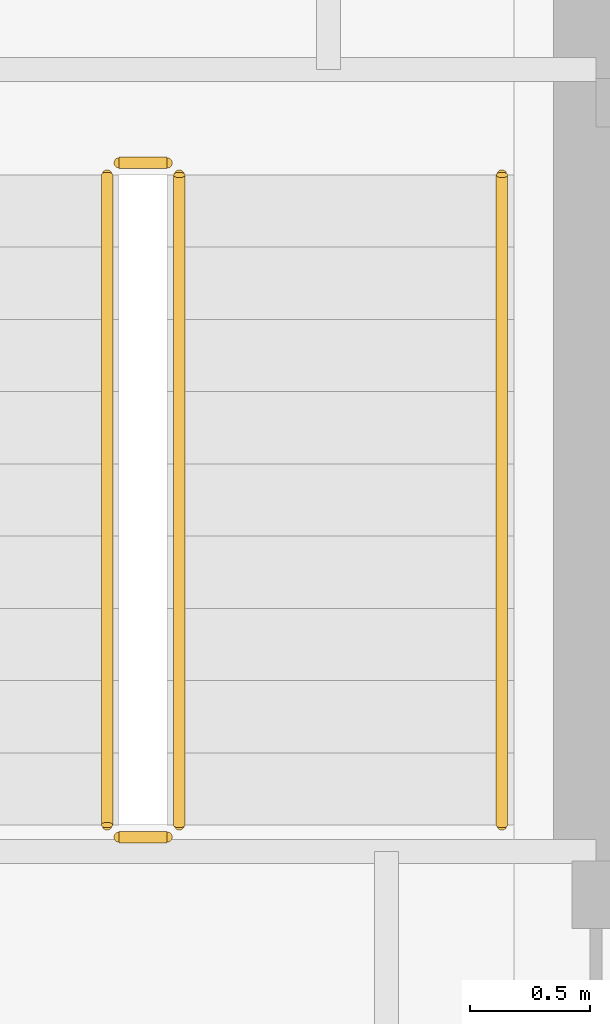
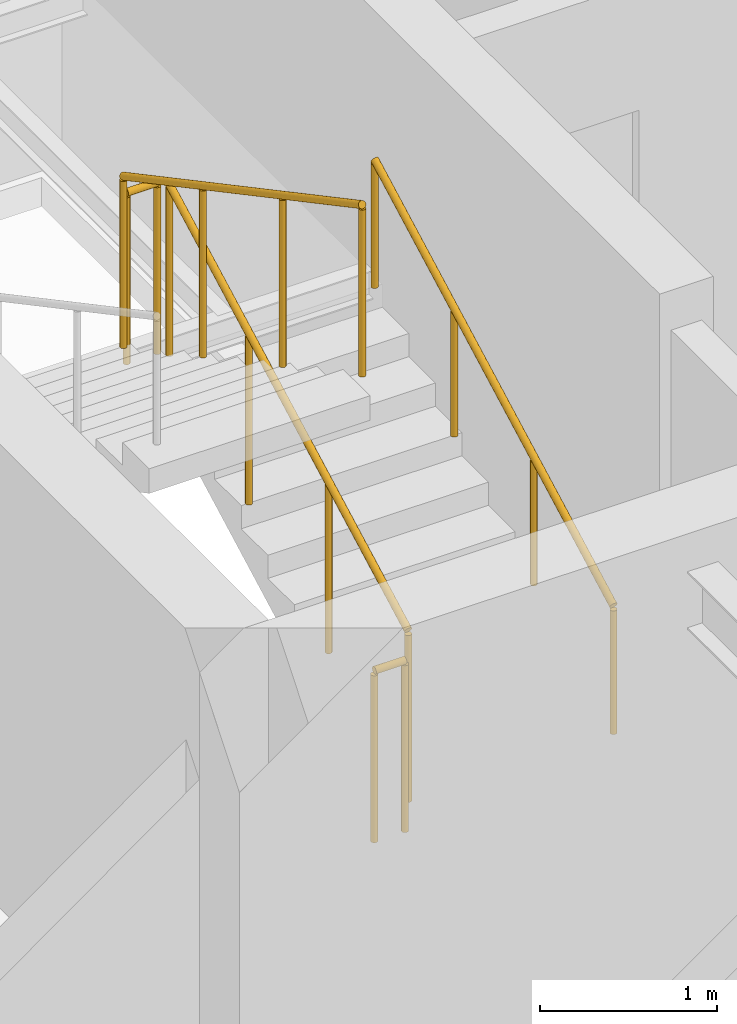
# One storey, part 55 of 56: 5 railings.
"""IFC4 building model written with IfcOpenShell, lengths in metres."""

from ifc_helpers import new_model, si_unit, direction, frame, origin, origin_2d, place, context, subcontext, project, spatial, circle, extrude, material, type_object, element, save


model = new_model("IFC4")

# Units and contexts
model_context = context("Model", 3, precision=1e-05, world=origin(), true_north=direction((0.0, 1.0)))
body_context = subcontext(model_context, "Body", "Model", "MODEL_VIEW")
ifc_project = project(units=[si_unit("LENGTHUNIT", "METRE"), si_unit("AREAUNIT", "SQUARE_METRE"), si_unit("VOLUMEUNIT", "CUBIC_METRE"), si_unit("PLANEANGLEUNIT", "RADIAN"), si_unit("MASSUNIT", "GRAM", prefix="KILO")], contexts=[model_context])

# Site, building, storey
site_placement = place(None, origin())
site = spatial("IfcSite", under=ifc_project, at=site_placement, CompositionType="ELEMENT")
building_placement = place(site_placement, origin())
building = spatial("IfcBuilding", under=site, at=building_placement, Name="Qiaolan Cultural Towers", CompositionType="ELEMENT")
storey_placement = place(building_placement, frame((0.0, 0.0, 250.39990234375)))
storey = spatial("IfcBuildingStorey", under=building, at=storey_placement, Name="L68", CompositionType="ELEMENT", Elevation=250.39990234375)

# Railings
ifc_material_1 = material(Name="Galvanized Painted Steel Stair Guardrail", Category="steel")
railing_type_1 = type_object("IfcRailingType", Name="RL-STAIR-GRD", PredefinedType="GUARDRAIL", material=ifc_material_1)
railing_1_placement = place(storey_placement, frame((23.989990234375, 48.449951171875, 0.16015625)))
element("IfcRailing", 1, at=railing_1_placement, inside=storey, type_object=railing_type_1, Name="L68 ST-W2 stair guard 1", PredefinedType="GUARDRAIL", context=body_context, shape_type="SweptSolid", body=[
    extrude(circle(Radius=0.02392578125, at=origin_2d()), frame((0.0, 0.0, 1.17578125), z_axis=(0.0, 0.882357358376, 0.470579952952), x_axis=(-1.0, 0.0, 0.0)), (0.0, 0.0, 1.0), 3.059814453125),
    extrude(circle(Radius=0.02099609375, at=origin_2d()), origin(), (0.0, 0.0, 1.0), 1.15185546875),
    extrude(circle(Radius=0.02099609375, at=origin_2d()), frame((0.0, 0.89990234375, 0.47998046875)), (0.0, 0.0, 1.0), 1.15185546875),
    extrude(circle(Radius=0.02099609375, at=origin_2d()), frame((0.0, 1.800048828125, 0.9599609375)), (0.0, 0.0, 1.0), 1.15185546875),
    extrude(circle(Radius=0.02099609375, at=origin_2d()), frame((0.0, 2.699951171875, 1.43994140625)), (0.0, 0.0, 1.0), 1.15185546875),
])
railing_2_placement = place(storey_placement, frame((23.93994140625, 51.199951171875, 1.60009765625)))
element("IfcRailing", 2, at=railing_2_placement, inside=storey, type_object=railing_type_1, Name="L68 ST-W2 stair guard 2", PredefinedType="GUARDRAIL", context=body_context, shape_type="SweptSolid", body=[
    extrude(circle(Radius=0.02392578125, at=origin_2d()), frame((0.0, 0.0, 1.17578125), z_axis=(-1.0, 0.0, 0.0), x_axis=(0.0, -1.0, 0.0)), (0.0, 0.0, 1.0), 0.199951171875),
    extrude(circle(Radius=0.02099609375, at=origin_2d()), origin(), (0.0, 0.0, 1.0), 1.15185546875),
    extrude(circle(Radius=0.02099609375, at=origin_2d()), frame((-0.199951171875, 0.0, 0.0)), (0.0, 0.0, 1.0), 1.15185546875),
])
railing_3_placement = place(storey_placement, frame((23.68994140625, 51.14990234375, 1.760009765625)))
element("IfcRailing", 3, at=railing_3_placement, inside=storey, type_object=railing_type_1, Name="L68 ST-W2 stair guard 3", PredefinedType="GUARDRAIL", context=body_context, shape_type="SweptSolid", body=[
    extrude(circle(Radius=0.02392578125, at=origin_2d()), frame((0.0, 0.0, 1.17578125), z_axis=(0.0, -0.882324228566, 0.470642067484), x_axis=(1.0, 0.0, 0.0)), (0.0, 0.0, 1.0), 3.06005859375),
    extrude(circle(Radius=0.02099609375, at=origin_2d()), origin(), (0.0, 0.0, 1.0), 1.15185546875),
    extrude(circle(Radius=0.02099609375, at=origin_2d()), frame((0.0, -0.89990234375, 0.47998046875)), (0.0, 0.0, 1.0), 1.15185546875),
    extrude(circle(Radius=0.02099609375, at=origin_2d()), frame((0.0, -1.800048828125, 0.960205078125)), (0.0, 0.0, 1.0), 1.15185546875),
    extrude(circle(Radius=0.02099609375, at=origin_2d()), frame((0.0, -2.699951171875, 1.440185546875)), (0.0, 0.0, 1.0), 1.15185546875),
])
railing_4_placement = place(storey_placement, frame((23.93994140625, 48.39990234375, 0.0)))
element("IfcRailing", 4, at=railing_4_placement, inside=storey, type_object=railing_type_1, Name="L68 ST-W2 stair guard 4", PredefinedType="GUARDRAIL", context=body_context, shape_type="SweptSolid", body=[
    extrude(circle(Radius=0.02392578125, at=origin_2d()), frame((0.0, 0.0, 1.17578125), z_axis=(-1.0, 0.0, 0.0), x_axis=(0.0, -1.0, 0.0)), (0.0, 0.0, 1.0), 0.199951171875),
    extrude(circle(Radius=0.02099609375, at=origin_2d()), origin(), (0.0, 0.0, 1.0), 1.15185546875),
    extrude(circle(Radius=0.02099609375, at=origin_2d()), frame((-0.199951171875, 0.0, 0.0)), (0.0, 0.0, 1.0), 1.15185546875),
])
ifc_material_2 = material(Name="Stainless Steel S30408 Tubular Handrail", Category="steel")
railing_type_2 = type_object("IfcRailingType", Name="RL-STAIR-HR", PredefinedType="HANDRAIL", material=ifc_material_2)
railing_5_placement = place(storey_placement, frame((25.330078125, 48.449951171875, 0.16015625)))
element("IfcRailing", 5, at=railing_5_placement, inside=storey, type_object=railing_type_2, Name="L68 ST-W2 stair handrail 1", PredefinedType="HANDRAIL", context=body_context, shape_type="SweptSolid", body=[
    extrude(circle(Radius=0.02392578125, at=origin_2d()), frame((0.0, 0.0, 0.8759765625), z_axis=(0.0, 0.882357358376, 0.470579952952), x_axis=(-1.0, 0.0, 0.0)), (0.0, 0.0, 1.0), 3.059814453125),
    extrude(circle(Radius=0.02099609375, at=origin_2d()), origin(), (0.0, 0.0, 1.0), 0.851806640625),
    extrude(circle(Radius=0.02099609375, at=origin_2d()), frame((0.0, 0.89990234375, 0.47998046875)), (0.0, 0.0, 1.0), 0.851806640625),
    extrude(circle(Radius=0.02099609375, at=origin_2d()), frame((0.0, 1.800048828125, 0.9599609375)), (0.0, 0.0, 1.0), 0.851806640625),
    extrude(circle(Radius=0.02099609375, at=origin_2d()), frame((0.0, 2.699951171875, 1.43994140625)), (0.0, 0.0, 1.0), 0.851806640625),
])

save(model, "model.ifc")
